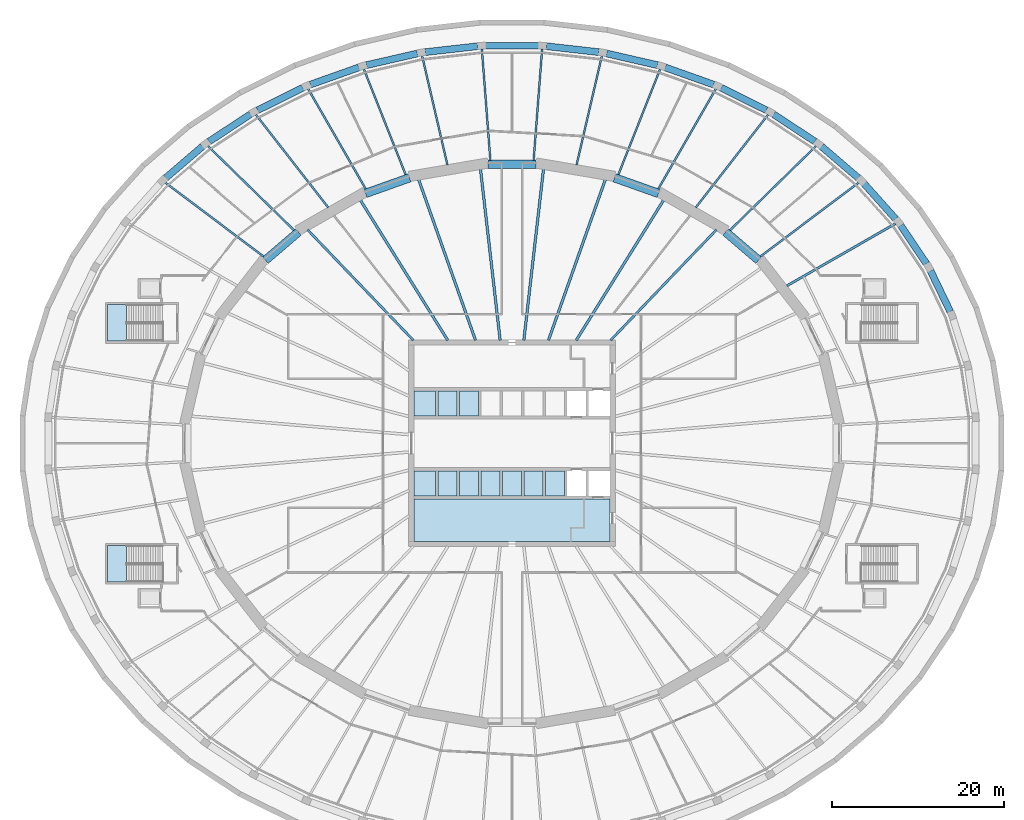
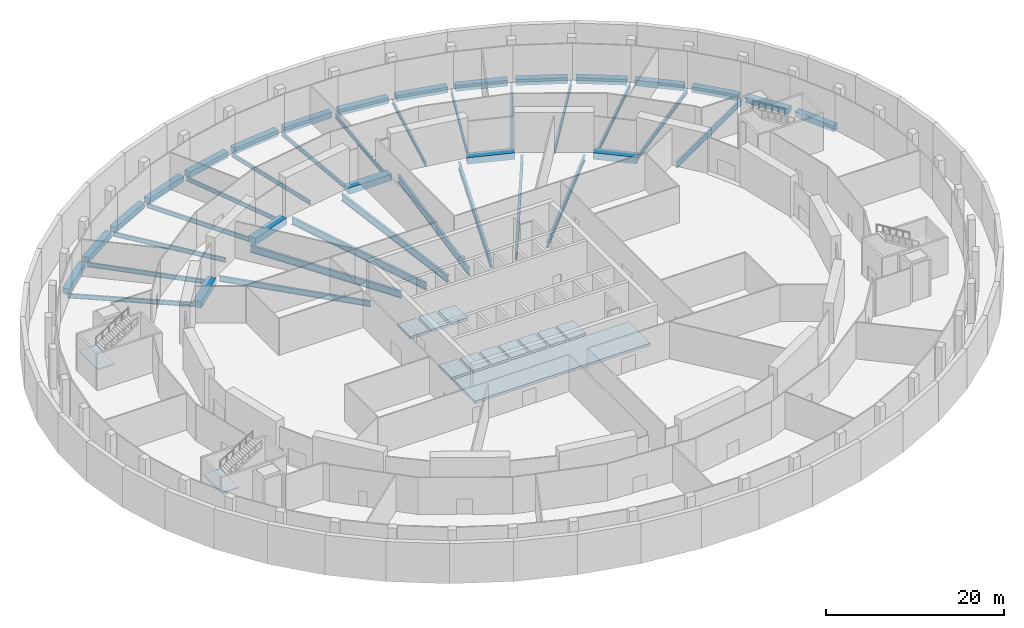
# One storey, part 3 of 14: 44 beams, 13 slabs, 2 elements without a shape of their own.
"""IFC4 building model written with IfcOpenShell, lengths in metres."""

import ifcopenshell
import ifcopenshell.guid

model = None  # the IFC model being written
_history = None  # IfcOwnerHistory: only IFC2X3 demands one
_inside = {}  # id of a spatial element -> (the spatial element, [elements in it])
_under = {}  # id of a project, library or spatial element -> (it, [spatial elements below it])
_declared = {}  # id of a project -> (the project, [libraries it declares])
_typed = {}  # id of a type object -> (the type object, [elements of that type])
_made_of = {}  # id of a material, layer set ... -> (it, [elements and type objects made of it])


def new_model(schema):
    """Start an empty IFC model of exactly this schema.

    Asked for "IFC4X3", IfcOpenShell would pick the latest addendum, in which some entities
    have other attributes; the version numbers below select the first issue.
    IFC2X3 requires an IfcOwnerHistory on every rooted entity: one is made here for all.
    """
    global model, _history
    if schema == "IFC4X3":
        model = ifcopenshell.file(schema_version=(4, 3, 0, 0))
    else:
        model = ifcopenshell.file(schema=schema)
    _inside.clear()
    _under.clear()
    _declared.clear()
    _typed.clear()
    _made_of.clear()
    _history = None
    if model.schema == "IFC2X3":
        org = make("IfcOrganization", Name="unknown")
        user = make(
            "IfcPersonAndOrganization",
            ThePerson=make("IfcPerson", FamilyName="unknown"),
            TheOrganization=org,
        )
        app = make(
            "IfcApplication",
            ApplicationDeveloper=org,
            Version="unknown",
            ApplicationFullName="unknown",
            ApplicationIdentifier="unknown",
        )
        _history = make(
            "IfcOwnerHistory",
            OwningUser=user,
            OwningApplication=app,
            ChangeAction="ADDED",
            CreationDate=0,
        )
    return model


def make(cls, **values):
    """One entity of the class cls with the attributes given. An attribute that is None is left unset."""
    return model.create_entity(
        cls, **{name: value for name, value in values.items() if value is not None}
    )


def rooted(cls, **values):
    """An entity with a GlobalId (a new one), such as an element, a storey or a relation."""
    return make(cls, GlobalId=ifcopenshell.guid.new(), OwnerHistory=_history, **values)


def si_unit(unit_type, name, prefix=None):
    """IfcSIUnit, for example si_unit("LENGTHUNIT", "METRE", prefix="MILLI")."""
    return make("IfcSIUnit", UnitType=unit_type, Prefix=prefix, Name=name)


def assignment(units):
    """IfcUnitAssignment: the units of a project."""
    return None if units is None else make("IfcUnitAssignment", Units=units)


def point(xyz):
    """IfcCartesianPoint."""
    return None if xyz is None else make("IfcCartesianPoint", Coordinates=xyz)


def direction(xyz):
    """IfcDirection."""
    return None if xyz is None else make("IfcDirection", DirectionRatios=xyz)


def frame(location, z_axis=None, x_axis=None):
    """IfcAxis2Placement3D, a coordinate frame: its origin and axes. An axis left out is left unset."""
    return make(
        "IfcAxis2Placement3D",
        Location=point(location),
        Axis=direction(z_axis),
        RefDirection=direction(x_axis),
    )


def frame_2d(location, x_axis=None):
    """IfcAxis2Placement2D, a coordinate frame in the plane: its origin and x axis."""
    return make(
        "IfcAxis2Placement2D", Location=point(location), RefDirection=direction(x_axis)
    )


def origin():
    """The frame at (0, 0, 0) with its axes left unset."""
    return frame((0.0, 0.0, 0.0))


def origin_2d():
    """The frame at (0, 0) in the plane with its x axis left unset."""
    return frame_2d((0.0, 0.0))


def place(relative_to, where):
    """IfcLocalPlacement: puts the frame where relative to a parent placement (None: the world)."""
    return make(
        "IfcLocalPlacement", PlacementRelTo=relative_to, RelativePlacement=where
    )


def context(
    kind, dimensions, precision=None, world=None, true_north=None, identifier=None
):
    """IfcGeometricRepresentationContext, for example the 3D "Model" context."""
    return make(
        "IfcGeometricRepresentationContext",
        ContextIdentifier=identifier,
        ContextType=kind,
        CoordinateSpaceDimension=dimensions,
        Precision=precision,
        WorldCoordinateSystem=world,
        TrueNorth=true_north,
    )


def subcontext(parent, identifier, kind, view, scale=None):
    """IfcGeometricRepresentationSubContext, for example "Body" below "Model"."""
    return make(
        "IfcGeometricRepresentationSubContext",
        ContextIdentifier=identifier,
        ContextType=kind,
        ParentContext=parent,
        TargetScale=scale,
        TargetView=view,
    )


def project(units=None, contexts=None):
    """IfcProject with its units and contexts."""
    return rooted(
        "IfcProject",
        Name="project",
        RepresentationContexts=contexts,
        UnitsInContext=assignment(units),
    )


def spatial(cls, under=None, at=None, **own):
    """A site, building, storey or space (cls), placed at a placement, below another one or the project."""
    s = rooted(cls, ObjectPlacement=at, **own)
    if under is not None:
        _under.setdefault(under.id(), (under, []))[1].append(s)
    return s


def polyline(points):
    """IfcPolyline through the points."""
    return make("IfcPolyline", Points=[point(p) for p in points])


def profile(cls, at=None, kind="AREA", **sizes):
    """A parametric profile (cls). Its sizes go by their IFC names, for example OverallWidth=200.0."""
    return make(cls, ProfileType=kind, Position=at, **sizes)


def rectangle(**sizes):
    """IfcRectangleProfileDef."""
    return profile("IfcRectangleProfileDef", **sizes)


def i_section(**sizes):
    """IfcIShapeProfileDef."""
    return profile("IfcIShapeProfileDef", **sizes)


def outline(outer, holes=None, kind="AREA"):
    """IfcArbitraryClosedProfileDef: a profile drawn as a closed curve; with holes, ...WithVoids."""
    if holes is None:
        return make("IfcArbitraryClosedProfileDef", ProfileType=kind, OuterCurve=outer)
    return make(
        "IfcArbitraryProfileDefWithVoids",
        ProfileType=kind,
        OuterCurve=outer,
        InnerCurves=holes,
    )


def extrude(swept, where, along, depth):
    """IfcExtrudedAreaSolid: the profile swept, set in the frame where, extruded along a direction by depth."""
    return make(
        "IfcExtrudedAreaSolid",
        SweptArea=swept,
        Position=where,
        ExtrudedDirection=direction(along),
        Depth=depth,
    )


def shape(context_of_items, identifier, shape_type, items):
    """IfcShapeRepresentation: the items that make up one representation, for example the "Body"."""
    return make(
        "IfcShapeRepresentation",
        ContextOfItems=context_of_items,
        RepresentationIdentifier=identifier,
        RepresentationType=shape_type,
        Items=items,
    )


def material(Name=None, Category=None):
    """IfcMaterial."""
    return make("IfcMaterial", Name=Name, Category=Category)


def layer(
    of_material, thickness, ventilated=None, Name=None, Category=None, Priority=None
):
    """IfcMaterialLayer: one layer of a wall or slab, of a material (None: an air gap)."""
    return make(
        "IfcMaterialLayer",
        Material=of_material,
        LayerThickness=thickness,
        IsVentilated=ventilated,
        Name=Name,
        Category=Category,
        Priority=Priority,
    )


def layer_set(layers, Name=None):
    """IfcMaterialLayerSet."""
    return make("IfcMaterialLayerSet", MaterialLayers=layers, LayerSetName=Name)


def material_profile(
    of_material, cross_section, Name=None, Category=None, Priority=None
):
    """IfcMaterialProfile: a cross section and its material."""
    return make(
        "IfcMaterialProfile",
        Name=Name,
        Material=of_material,
        Profile=cross_section,
        Priority=Priority,
        Category=Category,
    )


def profile_set(profiles, Name=None, composite=None):
    """IfcMaterialProfileSet."""
    return make(
        "IfcMaterialProfileSet",
        Name=Name,
        MaterialProfiles=profiles,
        CompositeProfile=composite,
    )


def made_of(thing, what):
    """Note that an element or type object is made of a material, layer set ...; save() writes the relation."""
    if what is not None:
        _made_of.setdefault(what.id(), (what, []))[1].append(thing)
    return thing


def type_object(cls, material=None, **own):
    """A type object (cls), such as IfcWallType, which elements share."""
    return made_of(rooted(cls, **own), material)


def element(
    cls,
    number,
    at=None,
    inside=None,
    cuts=None,
    type_object=None,
    material=None,
    context=None,
    identifier="Body",
    shape_type=None,
    held_by="IfcProductDefinitionShape",
    body=None,
    shapes=None,
    **own,
):
    """One element of the class cls, such as IfcWall. Its Tag is "e" and its number.

    at: its placement. inside: the storey or other place that contains it. cuts: it is an
    opening in that element (IfcRelVoidsElement). A single representation is given by context,
    identifier, shape_type and body (its items); several are given by shapes. held_by: the class
    of the entity that holds the representations. save() writes the other relations.
    """
    e = rooted(cls, Tag="e%d" % number, ObjectPlacement=at, **own)
    if body is not None:
        shapes = [shape(context, identifier, shape_type, body)]
    if shapes is not None:
        e.Representation = make(held_by, Representations=shapes)
    if inside is not None:
        _inside.setdefault(inside.id(), (inside, []))[1].append(e)
    if cuts is not None:
        rooted(
            "IfcRelVoidsElement", RelatingBuildingElement=cuts, RelatedOpeningElement=e
        )
    if type_object is not None:
        _typed.setdefault(type_object.id(), (type_object, []))[1].append(e)
    return made_of(e, material)


def aggregate(whole, parts):
    """IfcRelAggregates: a whole, such as a stair, and the parts it consists of."""
    return rooted("IfcRelAggregates", RelatingObject=whole, RelatedObjects=parts)


def save(model, path):
    """Write the relations noted so far, then the file.

    IfcRelAggregates (storeys below a building ...), IfcRelContainedInSpatialStructure (elements
    in a storey), IfcRelDefinesByType, IfcRelAssociatesMaterial and IfcRelDeclares: one each for
    every whole, place, type object, material and project.
    """
    for whole, parts in _under.values():
        aggregate(whole, parts)
    for where, things in _inside.values():
        rooted(
            "IfcRelContainedInSpatialStructure",
            RelatedElements=things,
            RelatingStructure=where,
        )
    for kind, things in _typed.values():
        rooted("IfcRelDefinesByType", RelatedObjects=things, RelatingType=kind)
    for what, things in _made_of.values():
        rooted("IfcRelAssociatesMaterial", RelatedObjects=things, RelatingMaterial=what)
    for by, libraries in _declared.values():
        rooted("IfcRelDeclares", RelatingContext=by, RelatedDefinitions=libraries)
    model.write(path)


model = new_model("IFC4")

# Units and contexts
model_context = context("Model", 3, precision=1e-05, world=origin(), true_north=direction((0.0, 1.0)))
body_context = subcontext(model_context, "Body", "Model", "MODEL_VIEW")
ifc_project = project(units=[si_unit("LENGTHUNIT", "METRE"), si_unit("AREAUNIT", "SQUARE_METRE"), si_unit("VOLUMEUNIT", "CUBIC_METRE"), si_unit("PLANEANGLEUNIT", "RADIAN"), si_unit("MASSUNIT", "GRAM", prefix="KILO")], contexts=[model_context])

# Site, building, storey
site_placement = place(None, origin())
site = spatial("IfcSite", under=ifc_project, at=site_placement, CompositionType="ELEMENT")
building_placement = place(site_placement, origin())
building = spatial("IfcBuilding", under=site, at=building_placement, Name="Halqa Exchange Tower", CompositionType="ELEMENT")
storey_placement = place(building_placement, frame((0.0, 0.0, -9.5)))
storey = spatial("IfcBuildingStorey", under=building, at=storey_placement, Name="B2", CompositionType="ELEMENT", Elevation=-9.5)

# Beams
ifc_material_1 = material(Name="Steel S355", Category="steel")
ifc_material_profile_1 = material_profile(ifc_material_1, i_section(OverallWidth=0.300048828125, OverallDepth=0.989990234375, WebThickness=0.0166015625, FlangeThickness=0.031005859375, FilletRadius=0.030029296875, at=origin_2d()), Name="HEA 1000")
ifc_profile_set_1 = profile_set([ifc_material_profile_1], Name="Steel S355")
beam_type_1 = type_object("IfcBeamType", Name="Floor beam HEA 1000", PredefinedType="BEAM", material=ifc_profile_set_1)
for number, where, z_axis, x_axis, name in (
    (1, (7.46533203125, 11.971435546875, -0.844970703125), (0.529145823441, 0.848530905468, 0.0), (-0.848530905468, 0.529145823441, 0.0), "Radial beam 6"),
    (2, (-7.46533203125, 11.971435546875, -0.844970703125), (-0.529145823441, 0.848530905468, 0.0), (-0.848530905468, -0.529145823441, 0.0), "Radial beam 11"),
):
    element("IfcBeam", number, at=place(storey_placement, frame(where, z_axis=z_axis, x_axis=x_axis)), inside=storey, type_object=beam_type_1, Name=name, PredefinedType="BEAM", context=body_context, shape_type="SweptSolid", body=[
        extrude(i_section(OverallWidth=0.300048828125, OverallDepth=0.989990234375, WebThickness=0.0166015625, FlangeThickness=0.031005859375, FilletRadius=0.030029296875, at=origin_2d()), origin(), (0.0, 0.0, 1.0), 19.27294921875),
    ])
ifc_material_profile_2 = material_profile(ifc_material_1, i_section(OverallWidth=0.300048828125, OverallDepth=1.0, WebThickness=0.01904296875, FlangeThickness=0.035888671875, FilletRadius=0.030029296875, at=origin_2d()), Name="HEB 1000")
ifc_profile_set_2 = profile_set([ifc_material_profile_2], Name="Steel S355")
beam_type_2 = type_object("IfcBeamType", Name="Floor beam HEB 1000", PredefinedType="BEAM", material=ifc_profile_set_2)
beam_1_placement = place(storey_placement, frame((4.23681640625, 11.971923828125, -0.85009765625), z_axis=(0.333633039334, 0.942703025913, 0.0), x_axis=(-0.942703025913, 0.333633039334, 0.0)))
element("IfcBeam", 3, at=beam_1_placement, inside=storey, type_object=beam_type_2, Name="Radial beam 7", PredefinedType="BEAM", context=body_context, shape_type="SweptSolid", body=[
    extrude(i_section(OverallWidth=0.300048828125, OverallDepth=1.0, WebThickness=0.01904296875, FlangeThickness=0.035888671875, FilletRadius=0.030029296875, at=origin_2d()), origin(), (0.0, 0.0, 1.0), 19.885009765625),
])
for number, where, z_axis, x_axis, name in (
    (4, (1.375732421875, 11.972900390625, -0.85009765625), (0.114166838833, 0.99346159106, 0.0), (-0.99346159106, 0.114166838833, 0.0), "Radial beam 8"),
    (5, (-1.375732421875, 11.972900390625, -0.85009765625), (-0.114166838833, 0.99346159106, 0.0), (-0.99346159106, -0.114166838833, 0.0), "Radial beam 9"),
):
    element("IfcBeam", number, at=place(storey_placement, frame(where, z_axis=z_axis, x_axis=x_axis)), inside=storey, type_object=beam_type_2, Name=name, PredefinedType="BEAM", context=body_context, shape_type="SweptSolid", body=[
        extrude(i_section(OverallWidth=0.300048828125, OverallDepth=1.0, WebThickness=0.01904296875, FlangeThickness=0.035888671875, FilletRadius=0.030029296875, at=origin_2d()), origin(), (0.0, 0.0, 1.0), 20.103515625),
    ])
beam_2_placement = place(storey_placement, frame((-4.23681640625, 11.971923828125, -0.85009765625), z_axis=(-0.333633039334, 0.942703025913, 0.0), x_axis=(-0.942703025913, -0.333633039334, 0.0)))
element("IfcBeam", 6, at=beam_2_placement, inside=storey, type_object=beam_type_2, Name="Radial beam 10", PredefinedType="BEAM", context=body_context, shape_type="SweptSolid", body=[
    extrude(i_section(OverallWidth=0.300048828125, OverallDepth=1.0, WebThickness=0.01904296875, FlangeThickness=0.035888671875, FilletRadius=0.030029296875, at=origin_2d()), origin(), (0.0, 0.0, 1.0), 19.885009765625),
])
ifc_material_profile_3 = material_profile(ifc_material_1, i_section(OverallWidth=0.2099609375, OverallDepth=0.550048828125, WebThickness=0.010986328125, FlangeThickness=0.01708984375, FilletRadius=0.02392578125, at=origin_2d()), Name="IPE 550")
ifc_profile_set_3 = profile_set([ifc_material_profile_3], Name="Steel S355")
beam_type_3 = type_object("IfcBeamType", Name="Floor beam IPE 550", PredefinedType="BEAM", material=ifc_profile_set_3)
beam_3_placement = place(storey_placement, frame((12.352294921875, 31.2001953125, -0.625), z_axis=(0.368106640822, 0.929783577497, 0.0), x_axis=(-0.929783577497, 0.368106640822, 0.0)))
element("IfcBeam", 7, at=beam_3_placement, inside=storey, type_object=beam_type_3, Name="Radial beam 10", PredefinedType="BEAM", context=body_context, shape_type="SweptSolid", body=[
    extrude(i_section(OverallWidth=0.2099609375, OverallDepth=0.550048828125, WebThickness=0.010986328125, FlangeThickness=0.01708984375, FilletRadius=0.02392578125, at=origin_2d()), origin(), (0.0, 0.0, 1.0), 13.22412109375),
])
beam_4_placement = place(storey_placement, frame((7.5048828125, 32.35009765625, -0.625), z_axis=(0.2259960959, 0.974128207495, 0.0), x_axis=(-0.974128207495, 0.2259960959, 0.0)))
element("IfcBeam", 8, at=beam_4_placement, inside=storey, type_object=beam_type_3, Name="Radial beam 11", PredefinedType="BEAM", context=body_context, shape_type="SweptSolid", body=[
    extrude(i_section(OverallWidth=0.2099609375, OverallDepth=0.550048828125, WebThickness=0.010986328125, FlangeThickness=0.01708984375, FilletRadius=0.02392578125, at=origin_2d()), origin(), (0.0, 0.0, 1.0), 13.03466796875),
])
for number, where, z_axis, x_axis, name in (
    (9, (2.513916015625, 32.88623046875, -0.625), (0.076223337155, 0.997090769626, 0.0), (-0.997090769626, 0.076223337155, 0.0), "Radial beam 12"),
    (10, (-2.513916015625, 32.88623046875, -0.625), (-0.076223337155, 0.997090769626, 0.0), (-0.997090769626, -0.076223337155, 0.0), "Radial beam 13"),
):
    element("IfcBeam", number, at=place(storey_placement, frame(where, z_axis=z_axis, x_axis=x_axis)), inside=storey, type_object=beam_type_3, Name=name, PredefinedType="BEAM", context=body_context, shape_type="SweptSolid", body=[
        extrude(i_section(OverallWidth=0.2099609375, OverallDepth=0.550048828125, WebThickness=0.010986328125, FlangeThickness=0.01708984375, FilletRadius=0.02392578125, at=origin_2d()), origin(), (0.0, 0.0, 1.0), 12.981689453125),
    ])
beam_5_placement = place(storey_placement, frame((-7.5048828125, 32.35009765625, -0.625), z_axis=(-0.2259960959, 0.974128207495, 0.0), x_axis=(-0.974128207495, -0.2259960959, 0.0)))
element("IfcBeam", 11, at=beam_5_placement, inside=storey, type_object=beam_type_3, Name="Radial beam 14", PredefinedType="BEAM", context=body_context, shape_type="SweptSolid", body=[
    extrude(i_section(OverallWidth=0.2099609375, OverallDepth=0.550048828125, WebThickness=0.010986328125, FlangeThickness=0.01708984375, FilletRadius=0.02392578125, at=origin_2d()), origin(), (0.0, 0.0, 1.0), 13.03466796875),
])
beam_6_placement = place(storey_placement, frame((-12.352294921875, 31.2001953125, -0.625), z_axis=(-0.368106640822, 0.929783577497, 0.0), x_axis=(-0.929783577497, -0.368106640822, 0.0)))
element("IfcBeam", 12, at=beam_6_placement, inside=storey, type_object=beam_type_3, Name="Radial beam 15", PredefinedType="BEAM", context=body_context, shape_type="SweptSolid", body=[
    extrude(i_section(OverallWidth=0.2099609375, OverallDepth=0.550048828125, WebThickness=0.010986328125, FlangeThickness=0.01708984375, FilletRadius=0.02392578125, at=origin_2d()), origin(), (0.0, 0.0, 1.0), 13.22412109375),
])
ifc_material_profile_4 = material_profile(ifc_material_1, i_section(OverallWidth=0.219970703125, OverallDepth=0.60009765625, WebThickness=0.011962890625, FlangeThickness=0.01904296875, FilletRadius=0.02392578125, at=origin_2d()), Name="IPE 600")
ifc_profile_set_4 = profile_set([ifc_material_profile_4], Name="Steel S355")
beam_type_4 = type_object("IfcBeamType", Name="Floor beam IPE 600", PredefinedType="BEAM", material=ifc_profile_set_4)
beam_7_placement = place(storey_placement, frame((28.875732421875, 21.71240234375, -0.64990234375), z_axis=(0.799257291391, 0.600989003359, 0.0), x_axis=(-0.600989003359, 0.799257291391, 0.0)))
element("IfcBeam", 13, at=beam_7_placement, inside=storey, type_object=beam_type_4, Name="Radial beam 6", PredefinedType="BEAM", context=body_context, shape_type="SweptSolid", body=[
    extrude(i_section(OverallWidth=0.219970703125, OverallDepth=0.60009765625, WebThickness=0.011962890625, FlangeThickness=0.01904296875, FilletRadius=0.02392578125, at=origin_2d()), origin(), (0.0, 0.0, 1.0), 14.291259765625),
])
beam_8_placement = place(storey_placement, frame((25.322265625, 24.757080078125, -0.64990234375), z_axis=(0.715038042334, 0.699085544133, 0.0), x_axis=(-0.699085544133, 0.715038042334, 0.0)))
element("IfcBeam", 14, at=beam_8_placement, inside=storey, type_object=beam_type_4, Name="Radial beam 7", PredefinedType="BEAM", context=body_context, shape_type="SweptSolid", body=[
    extrude(i_section(OverallWidth=0.219970703125, OverallDepth=0.60009765625, WebThickness=0.011962890625, FlangeThickness=0.01904296875, FilletRadius=0.02392578125, at=origin_2d()), origin(), (0.0, 0.0, 1.0), 14.00341796875),
])
beam_9_placement = place(storey_placement, frame((21.3603515625, 27.40966796875, -0.64990234375), z_axis=(0.614701342153, 0.78875995078, 0.0), x_axis=(-0.78875995078, 0.614701342153, 0.0)))
element("IfcBeam", 15, at=beam_9_placement, inside=storey, type_object=beam_type_4, Name="Radial beam 8", PredefinedType="BEAM", context=body_context, shape_type="SweptSolid", body=[
    extrude(i_section(OverallWidth=0.219970703125, OverallDepth=0.60009765625, WebThickness=0.011962890625, FlangeThickness=0.01904296875, FilletRadius=0.02392578125, at=origin_2d()), origin(), (0.0, 0.0, 1.0), 13.681396484375),
])
for number, where, z_axis, x_axis, name in (
    (16, (16.996826171875, 29.551513671875, -0.64990234375), (0.498570786865, 0.866848989435, 0.0), (-0.866848989435, 0.498570786865, 0.0), "Radial beam 9"),
    (17, (-16.996826171875, 29.551513671875, -0.64990234375), (-0.498570786865, 0.866848989435, 0.0), (-0.866848989435, -0.498570786865, 0.0), "Radial beam 16"),
):
    element("IfcBeam", number, at=place(storey_placement, frame(where, z_axis=z_axis, x_axis=x_axis)), inside=storey, type_object=beam_type_4, Name=name, PredefinedType="BEAM", context=body_context, shape_type="SweptSolid", body=[
        extrude(i_section(OverallWidth=0.219970703125, OverallDepth=0.60009765625, WebThickness=0.011962890625, FlangeThickness=0.01904296875, FilletRadius=0.02392578125, at=origin_2d()), origin(), (0.0, 0.0, 1.0), 13.438720703125),
    ])
beam_10_placement = place(storey_placement, frame((-21.3603515625, 27.40966796875, -0.64990234375), z_axis=(-0.614701342153, 0.78875995078, 0.0), x_axis=(-0.78875995078, -0.614701342153, 0.0)))
element("IfcBeam", 18, at=beam_10_placement, inside=storey, type_object=beam_type_4, Name="Radial beam 17", PredefinedType="BEAM", context=body_context, shape_type="SweptSolid", body=[
    extrude(i_section(OverallWidth=0.219970703125, OverallDepth=0.60009765625, WebThickness=0.011962890625, FlangeThickness=0.01904296875, FilletRadius=0.02392578125, at=origin_2d()), origin(), (0.0, 0.0, 1.0), 13.681396484375),
])
beam_11_placement = place(storey_placement, frame((-25.322265625, 24.757080078125, -0.64990234375), z_axis=(-0.715038042334, 0.699085544133, 0.0), x_axis=(-0.699085544133, -0.715038042334, 0.0)))
element("IfcBeam", 19, at=beam_11_placement, inside=storey, type_object=beam_type_4, Name="Radial beam 18", PredefinedType="BEAM", context=body_context, shape_type="SweptSolid", body=[
    extrude(i_section(OverallWidth=0.219970703125, OverallDepth=0.60009765625, WebThickness=0.011962890625, FlangeThickness=0.01904296875, FilletRadius=0.02392578125, at=origin_2d()), origin(), (0.0, 0.0, 1.0), 14.00341796875),
])
beam_12_placement = place(storey_placement, frame((-28.875732421875, 21.71240234375, -0.64990234375), z_axis=(-0.799257291391, 0.600989003359, 0.0), x_axis=(-0.600989003359, -0.799257291391, 0.0)))
element("IfcBeam", 20, at=beam_12_placement, inside=storey, type_object=beam_type_4, Name="Radial beam 19", PredefinedType="BEAM", context=body_context, shape_type="SweptSolid", body=[
    extrude(i_section(OverallWidth=0.219970703125, OverallDepth=0.60009765625, WebThickness=0.011962890625, FlangeThickness=0.01904296875, FilletRadius=0.02392578125, at=origin_2d()), origin(), (0.0, 0.0, 1.0), 14.291259765625),
])
ifc_material_profile_5 = material_profile(ifc_material_1, i_section(OverallWidth=0.264892578125, OverallDepth=0.7529296875, WebThickness=0.01318359375, FlangeThickness=0.01708984375, FilletRadius=0.01708984375, at=origin_2d()), Name="IPE 750x147")
ifc_profile_set_5 = profile_set([ifc_material_profile_5], Name="Steel S355")
beam_type_5 = type_object("IfcBeamType", Name="Floor beam IPE 750x147", PredefinedType="BEAM", material=ifc_profile_set_5)
beam_13_placement = place(storey_placement, frame((31.942626953125, 18.300048828125, -0.7265625), z_axis=(0.867691436398, 0.497103179633, 0.0), x_axis=(-0.497103179633, 0.867691436398, 0.0)))
element("IfcBeam", 21, at=beam_13_placement, inside=storey, type_object=beam_type_5, Name="Radial beam 5", PredefinedType="BEAM", context=body_context, shape_type="SweptSolid", body=[
    extrude(i_section(OverallWidth=0.264892578125, OverallDepth=0.7529296875, WebThickness=0.01318359375, FlangeThickness=0.01708984375, FilletRadius=0.01708984375, at=origin_2d()), origin(), (0.0, 0.0, 1.0), 14.555908203125),
])
ifc_material_profile_6 = material_profile(ifc_material_1, i_section(OverallWidth=0.26806640625, OverallDepth=0.77001953125, WebThickness=0.015625, FlangeThickness=0.025390625, FilletRadius=0.01708984375, at=origin_2d()), Name="IPE 750x196")
ifc_profile_set_6 = profile_set([ifc_material_profile_6], Name="Steel S355")
beam_type_6 = type_object("IfcBeamType", Name="Floor beam IPE 750x196", PredefinedType="BEAM", material=ifc_profile_set_6)
for number, where, z_axis, x_axis, name in (
    (22, (11.46240234375, 11.9716796875, -0.735107421875), (0.6915763718, 0.722303344841, 0.0), (-0.722303344841, 0.6915763718, 0.0), "Radial beam 5"),
    (23, (-11.46240234375, 11.9716796875, -0.735107421875), (-0.6915763718, 0.722303344841, 0.0), (-0.722303344841, -0.6915763718, 0.0), "Radial beam 12"),
):
    element("IfcBeam", number, at=place(storey_placement, frame(where, z_axis=z_axis, x_axis=x_axis)), inside=storey, type_object=beam_type_6, Name=name, PredefinedType="BEAM", context=body_context, shape_type="SweptSolid", body=[
        extrude(i_section(OverallWidth=0.26806640625, OverallDepth=0.77001953125, WebThickness=0.015625, FlangeThickness=0.025390625, FilletRadius=0.01708984375, at=origin_2d()), origin(), (0.0, 0.0, 1.0), 17.7978515625),
    ])
ifc_material_2 = material(Name="Concrete C60/75", Category="concrete")
ifc_material_profile_7 = material_profile(ifc_material_2, rectangle(XDim=0.800048828125, YDim=0.800048828125, at=origin_2d()), Name="800 x 800")
ifc_profile_set_7 = profile_set([ifc_material_profile_7], Name="Concrete C60/75")
beam_type_7 = type_object("IfcBeamType", Name="RC podium edge beam 800 x 800 C60/75", PredefinedType="SPANDREL", material=ifc_profile_set_7)
beam_14_placement = place(storey_placement, frame((50.92822265625, 15.308837890625, -0.39990234375), z_axis=(-0.43497328232, 0.9004433595, 0.0), x_axis=(-0.9004433595, -0.43497328232, 0.0)))
element("IfcBeam", 24, at=beam_14_placement, inside=storey, type_object=beam_type_7, Name="Podium edge beam 3", PredefinedType="SPANDREL", context=body_context, shape_type="SweptSolid", body=[
    extrude(rectangle(XDim=0.800048828125, YDim=0.800048828125, at=origin_2d()), origin(), (0.0, 0.0, 1.0), 5.267578125),
])
beam_15_placement = place(storey_placement, frame((48.1669921875, 20.8701171875, -0.39990234375), z_axis=(-0.558528358221, 0.829485426673, 0.0), x_axis=(-0.829485426673, -0.558528358221, 0.0)))
element("IfcBeam", 25, at=beam_15_placement, inside=storey, type_object=beam_type_7, Name="Podium edge beam 4", PredefinedType="SPANDREL", context=body_context, shape_type="SweptSolid", body=[
    extrude(rectangle(XDim=0.800048828125, YDim=0.800048828125, at=origin_2d()), origin(), (0.0, 0.0, 1.0), 5.378173828125),
])
beam_16_placement = place(storey_placement, frame((44.58349609375, 26.075927734375, -0.39990234375), z_axis=(-0.666902525907, 0.745144966392, 0.0), x_axis=(-0.745144966392, -0.666902525907, 0.0)))
element("IfcBeam", 26, at=beam_16_placement, inside=storey, type_object=beam_type_7, Name="Podium edge beam 5", PredefinedType="SPANDREL", context=body_context, shape_type="SweptSolid", body=[
    extrude(rectangle(XDim=0.800048828125, YDim=0.800048828125, at=origin_2d()), origin(), (0.0, 0.0, 1.0), 5.501220703125),
])
beam_17_placement = place(storey_placement, frame((40.240478515625, 30.83544921875, -0.39990234375), z_axis=(-0.759174010844, 0.650887717859, 0.0), x_axis=(-0.650887717859, -0.759174010844, 0.0)))
element("IfcBeam", 27, at=beam_17_placement, inside=storey, type_object=beam_type_7, Name="Podium edge beam 6", PredefinedType="SPANDREL", context=body_context, shape_type="SweptSolid", body=[
    extrude(rectangle(XDim=0.800048828125, YDim=0.800048828125, at=origin_2d()), origin(), (0.0, 0.0, 1.0), 5.63427734375),
])
beam_18_placement = place(storey_placement, frame((35.208984375, 35.070556640625, -0.39990234375), z_axis=(-0.835418618456, 0.549614166426, 0.0), x_axis=(-0.549614166426, -0.835418618456, 0.0)))
element("IfcBeam", 28, at=beam_18_placement, inside=storey, type_object=beam_type_7, Name="Podium edge beam 7", PredefinedType="SPANDREL", context=body_context, shape_type="SweptSolid", body=[
    extrude(rectangle(XDim=0.800048828125, YDim=0.800048828125, at=origin_2d()), origin(), (0.0, 0.0, 1.0), 5.760986328125),
])
beam_19_placement = place(storey_placement, frame((29.576904296875, 38.706787109375, -0.39990234375), z_axis=(-0.896205416004, 0.443639326847, 0.0), x_axis=(-0.443639326847, -0.896205416004, 0.0)))
element("IfcBeam", 29, at=beam_19_placement, inside=storey, type_object=beam_type_7, Name="Podium edge beam 8", PredefinedType="SPANDREL", context=body_context, shape_type="SweptSolid", body=[
    extrude(rectangle(XDim=0.800048828125, YDim=0.800048828125, at=origin_2d()), origin(), (0.0, 0.0, 1.0), 5.880126953125),
])
beam_20_placement = place(storey_placement, frame((23.4384765625, 41.683349609375, -0.39990234375), z_axis=(-0.942343471221, 0.334647250469, 0.0), x_axis=(-0.334647250469, -0.942343471221, 0.0)))
element("IfcBeam", 30, at=beam_20_placement, inside=storey, type_object=beam_type_7, Name="Podium edge beam 9", PredefinedType="SPANDREL", context=body_context, shape_type="SweptSolid", body=[
    extrude(rectangle(XDim=0.800048828125, YDim=0.800048828125, at=origin_2d()), origin(), (0.0, 0.0, 1.0), 5.980712890625),
])
beam_21_placement = place(storey_placement, frame((16.89794921875, 43.948486328125, -0.39990234375), z_axis=(-0.974604133477, 0.223934774008, 0.0), x_axis=(-0.223934774008, -0.974604133477, 0.0)))
element("IfcBeam", 31, at=beam_21_placement, inside=storey, type_object=beam_type_7, Name="Podium edge beam 10", PredefinedType="SPANDREL", context=body_context, shape_type="SweptSolid", body=[
    extrude(rectangle(XDim=0.800048828125, YDim=0.800048828125, at=origin_2d()), origin(), (0.0, 0.0, 1.0), 6.05517578125),
])
beam_22_placement = place(storey_placement, frame((10.064453125, 45.46337890625, -0.39990234375), z_axis=(-0.993688954696, 0.112170679393, 0.0), x_axis=(-0.112170679393, -0.993688954696, 0.0)))
element("IfcBeam", 32, at=beam_22_placement, inside=storey, type_object=beam_type_7, Name="Podium edge beam 11", PredefinedType="SPANDREL", context=body_context, shape_type="SweptSolid", body=[
    extrude(rectangle(XDim=0.800048828125, YDim=0.800048828125, at=origin_2d()), origin(), (0.0, 0.0, 1.0), 6.100830078125),
])
beam_23_placement = place(storey_placement, frame((3.05859375, 46.200927734375, -0.39990234375), z_axis=(-1.0, 0.0, 0.0), x_axis=(0.0, -1.0, 0.0)))
element("IfcBeam", 33, at=beam_23_placement, inside=storey, type_object=beam_type_7, Name="Podium edge beam 12", PredefinedType="SPANDREL", context=body_context, shape_type="SweptSolid", body=[
    extrude(rectangle(XDim=0.800048828125, YDim=0.800048828125, at=origin_2d()), origin(), (0.0, 0.0, 1.0), 6.1171875),
])
beam_24_placement = place(storey_placement, frame((-4.002197265625, 46.147705078125, -0.39990234375), z_axis=(-0.993688954696, -0.112170679393, 0.0), x_axis=(0.112170679393, -0.993688954696, 0.0)))
element("IfcBeam", 34, at=beam_24_placement, inside=storey, type_object=beam_type_7, Name="Podium edge beam 13", PredefinedType="SPANDREL", context=body_context, shape_type="SweptSolid", body=[
    extrude(rectangle(XDim=0.800048828125, YDim=0.800048828125, at=origin_2d()), origin(), (0.0, 0.0, 1.0), 6.100830078125),
])
beam_25_placement = place(storey_placement, frame((-10.99658203125, 45.304443359375, -0.39990234375), z_axis=(-0.974604133477, -0.223934774008, 0.0), x_axis=(0.223934774008, -0.974604133477, 0.0)))
element("IfcBeam", 35, at=beam_25_placement, inside=storey, type_object=beam_type_7, Name="Podium edge beam 14", PredefinedType="SPANDREL", context=body_context, shape_type="SweptSolid", body=[
    extrude(rectangle(XDim=0.800048828125, YDim=0.800048828125, at=origin_2d()), origin(), (0.0, 0.0, 1.0), 6.05517578125),
])
beam_26_placement = place(storey_placement, frame((-17.802490234375, 43.684814453125, -0.39990234375), z_axis=(-0.942343471221, -0.334647250469, 0.0), x_axis=(0.334647250469, -0.942343471221, 0.0)))
element("IfcBeam", 36, at=beam_26_placement, inside=storey, type_object=beam_type_7, Name="Podium edge beam 15", PredefinedType="SPANDREL", context=body_context, shape_type="SweptSolid", body=[
    extrude(rectangle(XDim=0.800048828125, YDim=0.800048828125, at=origin_2d()), origin(), (0.0, 0.0, 1.0), 5.980712890625),
])
beam_27_placement = place(storey_placement, frame((-24.30712890625, 41.3154296875, -0.39990234375), z_axis=(-0.896205416004, -0.443639326847, 0.0), x_axis=(0.443639326847, -0.896205416004, 0.0)))
element("IfcBeam", 37, at=beam_27_placement, inside=storey, type_object=beam_type_7, Name="Podium edge beam 16", PredefinedType="SPANDREL", context=body_context, shape_type="SweptSolid", body=[
    extrude(rectangle(XDim=0.800048828125, YDim=0.800048828125, at=origin_2d()), origin(), (0.0, 0.0, 1.0), 5.880126953125),
])
beam_28_placement = place(storey_placement, frame((-30.396240234375, 38.23681640625, -0.39990234375), z_axis=(-0.835418618456, -0.549614166426, 0.0), x_axis=(0.549614166426, -0.835418618456, 0.0)))
element("IfcBeam", 38, at=beam_28_placement, inside=storey, type_object=beam_type_7, Name="Podium edge beam 17", PredefinedType="SPANDREL", context=body_context, shape_type="SweptSolid", body=[
    extrude(rectangle(XDim=0.800048828125, YDim=0.800048828125, at=origin_2d()), origin(), (0.0, 0.0, 1.0), 5.760986328125),
])
beam_29_placement = place(storey_placement, frame((-35.963134765625, 34.502685546875, -0.39990234375), z_axis=(-0.759174010844, -0.650887717859, 0.0), x_axis=(0.650887717859, -0.759174010844, 0.0)))
element("IfcBeam", 39, at=beam_29_placement, inside=storey, type_object=beam_type_7, Name="Podium edge beam 18", PredefinedType="SPANDREL", context=body_context, shape_type="SweptSolid", body=[
    extrude(rectangle(XDim=0.800048828125, YDim=0.800048828125, at=origin_2d()), origin(), (0.0, 0.0, 1.0), 5.63427734375),
])
ifc_material_profile_8 = material_profile(ifc_material_2, rectangle(XDim=1.0, YDim=0.89990234375, at=origin_2d()), Name="1000 x 900")
ifc_profile_set_8 = profile_set([ifc_material_profile_8], Name="Concrete C60/75")
beam_type_8 = type_object("IfcBeamType", Name="RC spandrel beam 1000 x 900 C60/75", PredefinedType="SPANDREL", material=ifc_profile_set_8)
beam_30_placement = place(storey_placement, frame((28.659423828125, 21.27587890625, -0.449951171875), z_axis=(-0.759263417999, 0.650783421799, 0.0), x_axis=(-0.650783421799, -0.759263417999, 0.0)))
element("IfcBeam", 40, at=beam_30_placement, inside=storey, type_object=beam_type_8, Name="Spandrel 4", PredefinedType="SPANDREL", context=body_context, shape_type="SweptSolid", body=[
    extrude(rectangle(XDim=1.0, YDim=0.89990234375, at=origin_2d()), origin(), (0.0, 0.0, 1.0), 5.056884765625),
])
beam_31_placement = place(storey_placement, frame((17.030029296875, 29.038818359375, -0.449951171875), z_axis=(-0.942357788657, 0.334606930826, 0.0), x_axis=(-0.334606930826, -0.942357788657, 0.0)))
element("IfcBeam", 41, at=beam_31_placement, inside=storey, type_object=beam_type_8, Name="Spandrel 6", PredefinedType="SPANDREL", context=body_context, shape_type="SweptSolid", body=[
    extrude(rectangle(XDim=1.0, YDim=0.89990234375, at=origin_2d()), origin(), (0.0, 0.0, 1.0), 5.429931640625),
])
beam_32_placement = place(storey_placement, frame((2.789794921875, 32.41455078125, -0.449951171875), z_axis=(-1.0, 0.0, 0.0), x_axis=(0.0, -1.0, 0.0)))
element("IfcBeam", 42, at=beam_32_placement, inside=storey, type_object=beam_type_8, Name="Spandrel 8", PredefinedType="SPANDREL", context=body_context, shape_type="SweptSolid", body=[
    extrude(rectangle(XDim=1.0, YDim=0.89990234375, at=origin_2d()), origin(), (0.0, 0.0, 1.0), 5.57958984375),
])
beam_33_placement = place(storey_placement, frame((-11.9130859375, 30.855712890625, -0.449951171875), z_axis=(-0.942357788657, -0.334606930826, 0.0), x_axis=(0.334606930826, -0.942357788657, 0.0)))
element("IfcBeam", 43, at=beam_33_placement, inside=storey, type_object=beam_type_8, Name="Spandrel 10", PredefinedType="SPANDREL", context=body_context, shape_type="SweptSolid", body=[
    extrude(rectangle(XDim=1.0, YDim=0.89990234375, at=origin_2d()), origin(), (0.0, 0.0, 1.0), 5.429931640625),
])
beam_34_placement = place(storey_placement, frame((-24.81982421875, 24.56689453125, -0.449951171875), z_axis=(-0.759263417999, -0.650783421799, 0.0), x_axis=(0.650783421799, -0.759263417999, 0.0)))
element("IfcBeam", 44, at=beam_34_placement, inside=storey, type_object=beam_type_8, Name="Spandrel 12", PredefinedType="SPANDREL", context=body_context, shape_type="SweptSolid", body=[
    extrude(rectangle(XDim=1.0, YDim=0.89990234375, at=origin_2d()), origin(), (0.0, 0.0, 1.0), 5.056884765625),
])

# Slabs
ifc_layer_1 = layer(ifc_material_2, 0.35009765625)
ifc_layer_set_1 = layer_set([ifc_layer_1], Name="Concrete C60/75")
slab_type_1 = type_object("IfcSlabType", Name="Core floor slab 350", PredefinedType="FLOOR", material=ifc_layer_set_1)
slab_1_placement = place(storey_placement, frame((0.0, 0.0, -0.35009765625)))
element("IfcSlab", 45, at=slab_1_placement, inside=storey, type_object=slab_type_1, Name="Core floor slab", PredefinedType="FLOOR", context=body_context, shape_type="SweptSolid", body=[
    extrude(outline(polyline([(-11.39990234375, -6.5), (11.39990234375, -6.5), (11.39990234375, -11.39990234375), (-11.39990234375, -11.39990234375), (-11.39990234375, -6.5)])), origin(), (0.0, 0.0, 1.0), 0.35009765625),
])
slab_2_placement = place(storey_placement, frame((0.0, 0.0, -0.35009765625)))
element("IfcSlab", 46, at=slab_2_placement, inside=storey, type_object=slab_type_1, Name="Core floor slab", PredefinedType="FLOOR", context=body_context, shape_type="SweptSolid", body=[
    extrude(outline(polyline([(-8.89990234375, -6.10009765625), (-11.39990234375, -6.10009765625), (-11.39990234375, -3.199951171875), (-8.89990234375, -3.199951171875), (-8.89990234375, -6.10009765625)])), origin(), (0.0, 0.0, 1.0), 0.35009765625),
])
slab_3_placement = place(storey_placement, frame((0.0, 0.0, -0.35009765625)))
element("IfcSlab", 47, at=slab_3_placement, inside=storey, type_object=slab_type_1, Name="Core floor slab", PredefinedType="FLOOR", context=body_context, shape_type="SweptSolid", body=[
    extrude(outline(polyline([(-11.39990234375, 3.199951171875), (-11.39990234375, 6.10009765625), (-8.89990234375, 6.10009765625), (-8.89990234375, 3.199951171875), (-11.39990234375, 3.199951171875)])), origin(), (0.0, 0.0, 1.0), 0.35009765625),
])
slab_4_placement = place(storey_placement, frame((0.0, 0.0, -0.35009765625)))
element("IfcSlab", 48, at=slab_4_placement, inside=storey, type_object=slab_type_1, Name="Core floor slab", PredefinedType="FLOOR", context=body_context, shape_type="SweptSolid", body=[
    extrude(outline(polyline([(-6.39990234375, -6.10009765625), (-8.60009765625, -6.10009765625), (-8.60009765625, -3.199951171875), (-6.39990234375, -3.199951171875), (-6.39990234375, -6.10009765625)])), origin(), (0.0, 0.0, 1.0), 0.35009765625),
])
slab_5_placement = place(storey_placement, frame((0.0, 0.0, -0.35009765625)))
element("IfcSlab", 49, at=slab_5_placement, inside=storey, type_object=slab_type_1, Name="Core floor slab", PredefinedType="FLOOR", context=body_context, shape_type="SweptSolid", body=[
    extrude(outline(polyline([(-6.39990234375, 3.199951171875), (-8.60009765625, 3.199951171875), (-8.60009765625, 6.10009765625), (-6.39990234375, 6.10009765625), (-6.39990234375, 3.199951171875)])), origin(), (0.0, 0.0, 1.0), 0.35009765625),
])
slab_6_placement = place(storey_placement, frame((0.0, 0.0, -0.35009765625)))
element("IfcSlab", 50, at=slab_6_placement, inside=storey, type_object=slab_type_1, Name="Core floor slab", PredefinedType="FLOOR", context=body_context, shape_type="SweptSolid", body=[
    extrude(outline(polyline([(-3.89990234375, -6.10009765625), (-6.10009765625, -6.10009765625), (-6.10009765625, -3.199951171875), (-3.89990234375, -3.199951171875), (-3.89990234375, -6.10009765625)])), origin(), (0.0, 0.0, 1.0), 0.35009765625),
])
slab_7_placement = place(storey_placement, frame((0.0, 0.0, -0.35009765625)))
element("IfcSlab", 51, at=slab_7_placement, inside=storey, type_object=slab_type_1, Name="Core floor slab", PredefinedType="FLOOR", context=body_context, shape_type="SweptSolid", body=[
    extrude(outline(polyline([(-3.89990234375, 3.199951171875), (-6.10009765625, 3.199951171875), (-6.10009765625, 6.10009765625), (-3.89990234375, 6.10009765625), (-3.89990234375, 3.199951171875)])), origin(), (0.0, 0.0, 1.0), 0.35009765625),
])
slab_8_placement = place(storey_placement, frame((0.0, 0.0, -0.35009765625)))
element("IfcSlab", 52, at=slab_8_placement, inside=storey, type_object=slab_type_1, Name="Core floor slab", PredefinedType="FLOOR", context=body_context, shape_type="SweptSolid", body=[
    extrude(outline(polyline([(-1.39990234375, -6.10009765625), (-3.60009765625, -6.10009765625), (-3.60009765625, -3.199951171875), (-1.39990234375, -3.199951171875), (-1.39990234375, -6.10009765625)])), origin(), (0.0, 0.0, 1.0), 0.35009765625),
])
slab_9_placement = place(storey_placement, frame((0.0, 0.0, -0.35009765625)))
element("IfcSlab", 53, at=slab_9_placement, inside=storey, type_object=slab_type_1, Name="Core floor slab", PredefinedType="FLOOR", context=body_context, shape_type="SweptSolid", body=[
    extrude(outline(polyline([(1.10009765625, -3.199951171875), (1.10009765625, -6.10009765625), (-1.10009765625, -6.10009765625), (-1.10009765625, -3.199951171875), (1.10009765625, -3.199951171875)])), origin(), (0.0, 0.0, 1.0), 0.35009765625),
])
slab_10_placement = place(storey_placement, frame((0.0, 0.0, -0.35009765625)))
element("IfcSlab", 54, at=slab_10_placement, inside=storey, type_object=slab_type_1, Name="Core floor slab", PredefinedType="FLOOR", context=body_context, shape_type="SweptSolid", body=[
    extrude(outline(polyline([(3.60009765625, -3.199951171875), (3.60009765625, -6.10009765625), (1.39990234375, -6.10009765625), (1.39990234375, -3.199951171875), (3.60009765625, -3.199951171875)])), origin(), (0.0, 0.0, 1.0), 0.35009765625),
])
slab_11_placement = place(storey_placement, frame((0.0, 0.0, -0.35009765625)))
element("IfcSlab", 55, at=slab_11_placement, inside=storey, type_object=slab_type_1, Name="Core floor slab", PredefinedType="FLOOR", context=body_context, shape_type="SweptSolid", body=[
    extrude(outline(polyline([(6.10009765625, -3.199951171875), (6.10009765625, -6.10009765625), (3.89990234375, -6.10009765625), (3.89990234375, -3.199951171875), (6.10009765625, -3.199951171875)])), origin(), (0.0, 0.0, 1.0), 0.35009765625),
])

# Stair, slab
ifc_material_3 = material(Name="Concrete C30/37", Category="concrete")
stair_type = type_object("IfcStairType", Name="Exit stair 2000 wide", PredefinedType="HALF_TURN_STAIR", material=ifc_material_3)
stair_1_placement = place(storey_placement, origin())
stair_1 = element("IfcStair", 56, at=stair_1_placement, inside=storey, type_object=stair_type, Name="Exit stair SS3", PredefinedType="HALF_TURN_STAIR")
ifc_layer_2 = layer(ifc_material_3, 0.199951171875)
ifc_layer_set_2 = layer_set([ifc_layer_2], Name="Concrete C30/37")
slab_type_2 = type_object("IfcSlabType", Name="Stair landing 200 slab", PredefinedType="LANDING", material=ifc_layer_set_2)
slab_12_placement = place(storey_placement, frame((0.0, 0.0, 2.550048828125)))
slab_12 = element("IfcSlab", 57, at=slab_12_placement, type_object=slab_type_2, Name="SS3 landing 1", PredefinedType="LANDING", context=body_context, shape_type="SweptSolid", body=[
    extrude(outline(polyline([(-47.0, 11.875), (-44.800048828125, 11.875), (-44.800048828125, 16.125), (-47.0, 16.125), (-47.0, 11.875)])), origin(), (0.0, 0.0, 1.0), 0.199951171875),
])
aggregate(stair_1, [slab_12])

stair_2_placement = place(storey_placement, origin())
stair_2 = element("IfcStair", 58, at=stair_2_placement, inside=storey, type_object=stair_type, Name="Exit stair SS4", PredefinedType="HALF_TURN_STAIR")
slab_13_placement = place(storey_placement, frame((0.0, 0.0, 2.550048828125)))
slab_13 = element("IfcSlab", 59, at=slab_13_placement, type_object=slab_type_2, Name="SS4 landing 1", PredefinedType="LANDING", context=body_context, shape_type="SweptSolid", body=[
    extrude(outline(polyline([(-47.0, -16.125), (-44.800048828125, -16.125), (-44.800048828125, -11.875), (-47.0, -11.875), (-47.0, -16.125)])), origin(), (0.0, 0.0, 1.0), 0.199951171875),
])
aggregate(stair_2, [slab_13])

save(model, "model.ifc")
